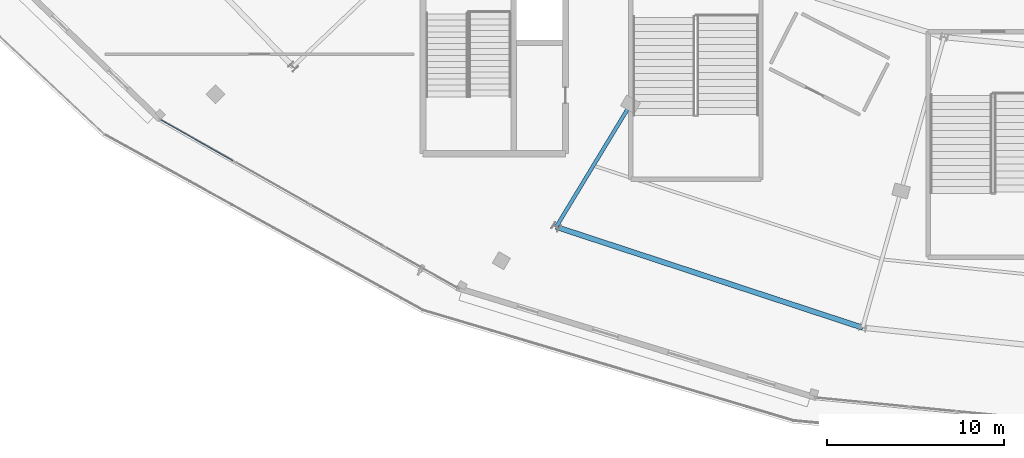
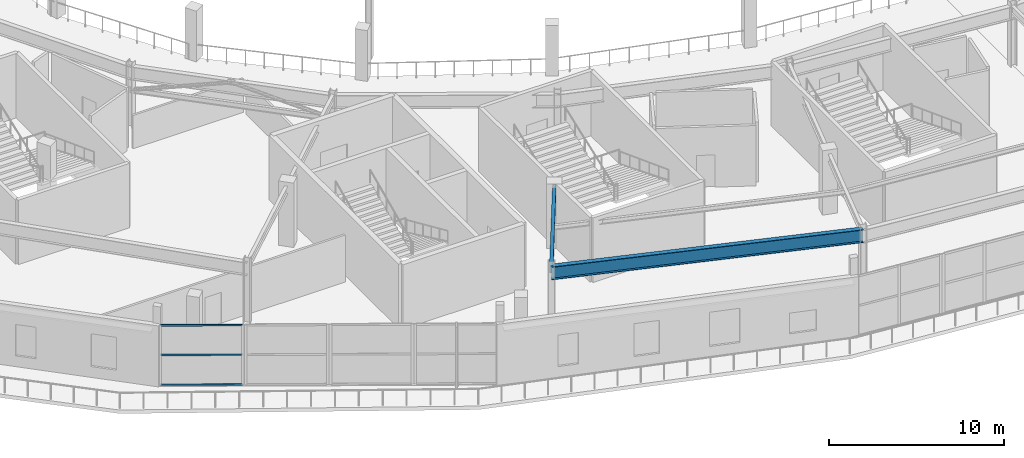
# One storey, part 19 of 123: 3 members, 2 beams, 1 element without a shape of its own.
"""IFC4 building model written with IfcOpenShell, lengths in metres."""

from ifc_helpers import new_model, si_unit, direction, frame, origin, origin_2d, place, context, subcontext, project, spatial, hollow_rectangle, i_section, extrude, material, layer, layer_set, material_profile, profile_set, type_object, element, aggregate, save


model = new_model("IFC4")

# Units and contexts
model_context = context("Model", 3, precision=1e-05, world=origin(), true_north=direction((0.0, 1.0)))
body_context = subcontext(model_context, "Body", "Model", "MODEL_VIEW")
ifc_project = project(units=[si_unit("LENGTHUNIT", "METRE"), si_unit("AREAUNIT", "SQUARE_METRE"), si_unit("VOLUMEUNIT", "CUBIC_METRE"), si_unit("PLANEANGLEUNIT", "RADIAN"), si_unit("MASSUNIT", "GRAM", prefix="KILO")], contexts=[model_context])

# Site, building, storey
site_placement = place(None, origin())
site = spatial("IfcSite", under=ifc_project, at=site_placement, CompositionType="ELEMENT")
building_placement = place(site_placement, origin())
building = spatial("IfcBuilding", under=site, at=building_placement, Name="Kalgoora Escarpment Arena", CompositionType="ELEMENT")
storey_placement = place(building_placement, frame((0.0, 0.0, 9.89990234375)))
storey = spatial("IfcBuildingStorey", under=building, at=storey_placement, Name="L02", CompositionType="ELEMENT", Elevation=9.89990234375)

# Beams
ifc_material_1 = material(Name="Structural steel AS/NZS 3679 (300 MPa)", Category="steel")
ifc_material_profile_1 = material_profile(ifc_material_1, i_section(OverallWidth=0.208984375, OverallDepth=0.528076171875, WebThickness=0.009521484375, FlangeThickness=0.01318359375, at=origin_2d()))
ifc_profile_set_1 = profile_set([ifc_material_profile_1], Name="Structural steel AS/NZS 3679 (300 MPa)")
beam_type_1 = type_object("IfcBeamType", Name="BM-GIRDER-530UB82.0", PredefinedType="USERDEFINED", material=ifc_profile_set_1)
beam_1_placement = place(storey_placement, frame((60.699951171875, 21.564697265625, 3.9560546875), z_axis=(-0.518407902139, -0.85513346736, 0.0), x_axis=(0.85513346736, -0.518407902139, 0.0)))
element("IfcBeam", 1, at=beam_1_placement, inside=storey, type_object=beam_type_1, Name="L02 Radial concourse girder 530UB82.0", ObjectType="GIRDER", PredefinedType="USERDEFINED", context=body_context, shape_type="SweptSolid", body=[
    extrude(i_section(OverallWidth=0.208984375, OverallDepth=0.528076171875, WebThickness=0.009521484375, FlangeThickness=0.01318359375, at=origin_2d()), origin(), (0.0, 0.0, 1.0), 8.1015625),
])
ifc_material_2 = material(Name="Structural steel Grade 350 (350 MPa)", Category="steel")
ifc_material_profile_2 = material_profile(ifc_material_2, i_section(OverallWidth=0.300048828125, OverallDepth=0.909912109375, WebThickness=0.011962890625, FlangeThickness=0.028076171875, at=origin_2d()))
ifc_profile_set_2 = profile_set([ifc_material_profile_2], Name="Structural steel Grade 350 (350 MPa)")
beam_type_2 = type_object("IfcBeamType", Name="BM-SPANDREL-900WB218", PredefinedType="SPANDREL", material=ifc_profile_set_2)
beam_2_placement = place(storey_placement, frame((56.5, 14.63671875, 3.76513671875), z_axis=(0.949954555117, -0.312388129115, 0.0), x_axis=(0.312388129115, 0.949954555117, 0.0)))
element("IfcBeam", 2, at=beam_2_placement, inside=storey, type_object=beam_type_2, Name="L02 Circumferential concourse girder RCONC2 900WB218", PredefinedType="SPANDREL", context=body_context, shape_type="SweptSolid", body=[
    extrude(i_section(OverallWidth=0.300048828125, OverallDepth=0.909912109375, WebThickness=0.011962890625, FlangeThickness=0.028076171875, at=origin_2d()), origin(), (0.0, 0.0, 1.0), 18.229248046875),
])

# Curtain wall, members
ifc_material_3 = material(Name=" Champagne anodised aluminium & double-glazed low-E", Category="aluminium")
ifc_layer = layer(ifc_material_3, 0.14990234375)
ifc_layer_set = layer_set([ifc_layer], Name="CW-UNIT-15")
curtain_wall_type = type_object("IfcCurtainWallType", Name="CW-UNIT-15", PredefinedType="NOTDEFINED", material=ifc_layer_set)
curtain_wall_placement = place(storey_placement, origin())
curtain_wall = element("IfcCurtainWall", 3, at=curtain_wall_placement, inside=storey, type_object=curtain_wall_type, Name="L02 unitised facade curtain wall 054", PredefinedType="NOTDEFINED")
ifc_material_4 = material(Name="Anodised aluminium 6063-T6", Category="aluminium")
ifc_material_profile_3 = material_profile(ifc_material_4, hollow_rectangle(XDim=0.054931640625, YDim=0.1201171875, WallThickness=0.003173828125, at=origin_2d()))
ifc_profile_set_3 = profile_set([ifc_material_profile_3], Name="Anodised aluminium 6063-T6")
member_type = type_object("IfcMemberType", Name="MEM-CW-TRAN-120", PredefinedType="USERDEFINED", material=ifc_profile_set_3)
member_1_placement = place(storey_placement, frame((38.232177734375, 18.37841796875, 0.047607421875), z_axis=(-0.869816475943, 0.493375413026, 0.0), x_axis=(-0.493375413026, -0.869816475943, 0.0)))
member_1 = element("IfcMember", 4, at=member_1_placement, type_object=member_type, Name="CW-15 transom 1.1", ObjectType="TRANSOM", PredefinedType="USERDEFINED", context=body_context, shape_type="SweptSolid", body=[
    extrude(hollow_rectangle(XDim=0.054931640625, YDim=0.1201171875, WallThickness=0.003173828125, at=origin_2d()), origin(), (0.0, 0.0, 1.0), 4.68505859375),
])
member_2_placement = place(storey_placement, frame((38.232177734375, 18.37841796875, 2.132568359375), z_axis=(-0.869816475943, 0.493375413026, 0.0), x_axis=(-0.493375413026, -0.869816475943, 0.0)))
member_2 = element("IfcMember", 5, at=member_2_placement, type_object=member_type, Name="CW-15 transom 1.2", ObjectType="TRANSOM", PredefinedType="USERDEFINED", context=body_context, shape_type="SweptSolid", body=[
    extrude(hollow_rectangle(XDim=0.054931640625, YDim=0.1201171875, WallThickness=0.003173828125, at=origin_2d()), origin(), (0.0, 0.0, 1.0), 4.68505859375),
])
member_3_placement = place(storey_placement, frame((38.232177734375, 18.37841796875, 4.197509765625), z_axis=(-0.869816475943, 0.493375413026, 0.0), x_axis=(-0.493375413026, -0.869816475943, 0.0)))
member_3 = element("IfcMember", 6, at=member_3_placement, type_object=member_type, Name="CW-15 transom 1.3", ObjectType="TRANSOM", PredefinedType="USERDEFINED", context=body_context, shape_type="SweptSolid", body=[
    extrude(hollow_rectangle(XDim=0.054931640625, YDim=0.1201171875, WallThickness=0.003173828125, at=origin_2d()), origin(), (0.0, 0.0, 1.0), 4.68505859375),
])
aggregate(curtain_wall, [member_1, member_2, member_3])

save(model, "model.ifc")
